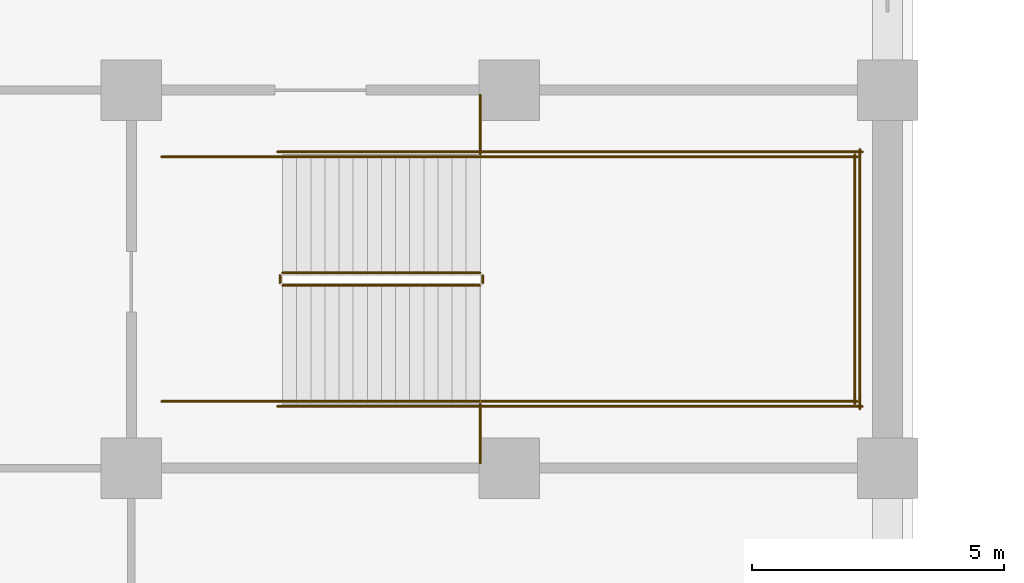
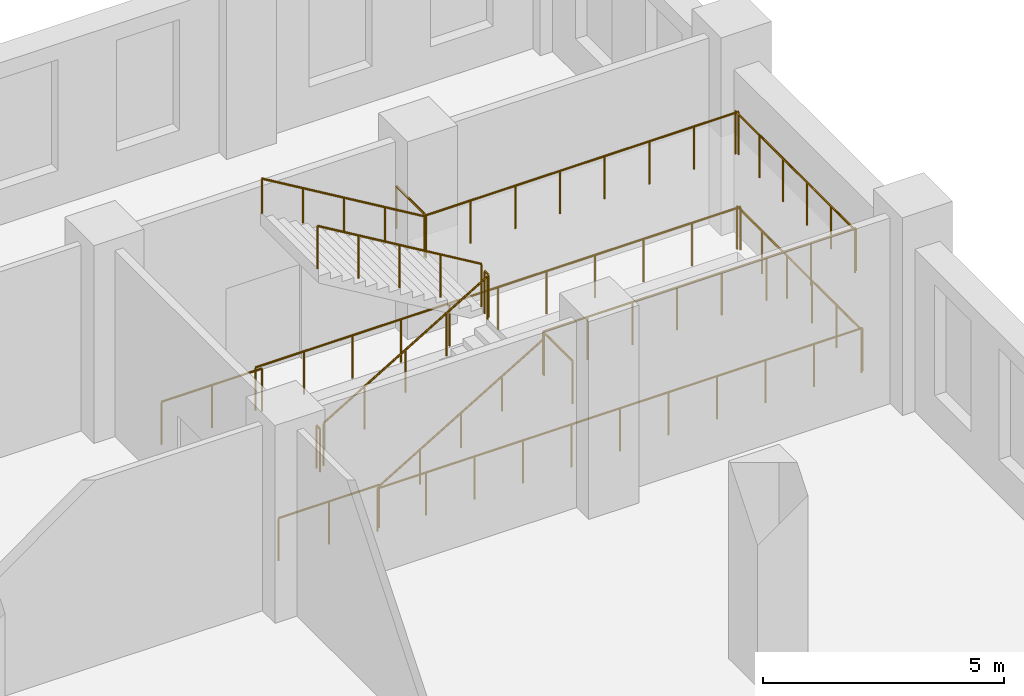
# One storey, part 26 of 32: 16 railings.
"""IFC4 building model written with IfcOpenShell, lengths in metres."""

from ifc_helpers import new_model, si_unit, direction, frame, origin, origin_2d, place, context, subcontext, project, spatial, circle, extrude, material, type_object, element, save


model = new_model("IFC4")

# Units and contexts
model_context = context("Model", 3, precision=1e-05, world=origin(), true_north=direction((0.0, 1.0)))
body_context = subcontext(model_context, "Body", "Model", "MODEL_VIEW")
ifc_project = project(units=[si_unit("LENGTHUNIT", "METRE"), si_unit("AREAUNIT", "SQUARE_METRE"), si_unit("VOLUMEUNIT", "CUBIC_METRE"), si_unit("PLANEANGLEUNIT", "RADIAN"), si_unit("MASSUNIT", "GRAM", prefix="KILO")], contexts=[model_context])

# Site, building, storey
site_placement = place(None, origin())
site = spatial("IfcSite", under=ifc_project, at=site_placement, CompositionType="ELEMENT")
building_placement = place(site_placement, origin())
building = spatial("IfcBuilding", under=site, at=building_placement, Name="Tamorin Gate", CompositionType="ELEMENT")
storey_placement = place(building_placement, frame((0.0, 0.0, 13.5)))
storey = spatial("IfcBuildingStorey", under=building, at=storey_placement, Name="L02", CompositionType="ELEMENT", Elevation=13.5)

# Railings
ifc_material = material(Name="Steel", Category="steel")
railing_type_1 = type_object("IfcRailingType", Name="Podium guard 1100", PredefinedType="GUARDRAIL", material=ifc_material)
railing_1_placement = place(storey_placement, frame((100.0, 100.625, 0.166748046875)))
element("IfcRailing", 1, at=railing_1_placement, inside=storey, type_object=railing_type_1, Name="L02 PS4 stair guard 1", PredefinedType="GUARDRAIL", context=body_context, shape_type="SweptSolid", body=[
    extrude(circle(Radius=0.02392578125, at=origin_2d()), frame((0.0, 0.0, 1.076171875), z_axis=(0.859296244711, 0.0, 0.511478214419), x_axis=(0.0, 1.0, 0.0)), (0.0, 0.0, 1.0), 4.561767578125),
    extrude(circle(Radius=0.02099609375, at=origin_2d()), origin(), (0.0, 0.0, 1.0), 1.052001953125),
    extrude(circle(Radius=0.02099609375, at=origin_2d()), frame((0.97998046875, 0.0, 0.583251953125)), (0.0, 0.0, 1.0), 1.052001953125),
    extrude(circle(Radius=0.02099609375, at=origin_2d()), frame((1.9599609375, 0.0, 1.16650390625)), (0.0, 0.0, 1.0), 1.052001953125),
    extrude(circle(Radius=0.02099609375, at=origin_2d()), frame((2.93994140625, 0.0, 1.75)), (0.0, 0.0, 1.0), 1.052001953125),
    extrude(circle(Radius=0.02099609375, at=origin_2d()), frame((3.919921875, 0.0, 2.333251953125)), (0.0, 0.0, 1.0), 1.052001953125),
])
railing_2_placement = place(storey_placement, frame((103.969970703125, 100.675048828125, 2.5)))
element("IfcRailing", 2, at=railing_2_placement, inside=storey, type_object=railing_type_1, Name="L02 PS4 stair guard 2", PredefinedType="GUARDRAIL", context=body_context, shape_type="SweptSolid", body=[
    extrude(circle(Radius=0.02392578125, at=origin_2d()), frame((0.0, 0.0, 1.076171875), z_axis=(0.0, 1.0, 0.0), x_axis=(-1.0, 0.0, 0.0)), (0.0, 0.0, 1.0), 0.14990234375),
    extrude(circle(Radius=0.02099609375, at=origin_2d()), origin(), (0.0, 0.0, 1.0), 1.052001953125),
    extrude(circle(Radius=0.02099609375, at=origin_2d()), frame((0.0, 0.14990234375, 0.0)), (0.0, 0.0, 1.0), 1.052001953125),
])
for number, where, name in (
    (3, (103.919921875, 98.324951171875, 2.5), "L02 PS4 stair guard 3"),
    (4, (103.919921875, 103.175048828125, 2.5), "L02 PS4 stair guard 4"),
):
    element("IfcRailing", number, at=place(storey_placement, frame(where)), inside=storey, type_object=railing_type_1, Name=name, PredefinedType="GUARDRAIL", context=body_context, shape_type="SweptSolid", body=[
        extrude(circle(Radius=0.02392578125, at=origin_2d()), frame((0.0, 0.0, 1.076171875), z_axis=(1.0, 0.0, 0.0), x_axis=(0.0, 1.0, 0.0)), (0.0, 0.0, 1.0), 7.47998046875),
        extrude(circle(Radius=0.02099609375, at=origin_2d()), origin(), (0.0, 0.0, 1.0), 1.052001953125),
        extrude(circle(Radius=0.02099609375, at=origin_2d()), frame((1.068603515625, 0.0, 0.0)), (0.0, 0.0, 1.0), 1.052001953125),
        extrude(circle(Radius=0.02099609375, at=origin_2d()), frame((2.13720703125, 0.0, 0.0)), (0.0, 0.0, 1.0), 1.052001953125),
        extrude(circle(Radius=0.02099609375, at=origin_2d()), frame((3.205810546875, 0.0, 0.0)), (0.0, 0.0, 1.0), 1.052001953125),
        extrude(circle(Radius=0.02099609375, at=origin_2d()), frame((4.274169921875, 0.0, 0.0)), (0.0, 0.0, 1.0), 1.052001953125),
        extrude(circle(Radius=0.02099609375, at=origin_2d()), frame((5.3427734375, 0.0, 0.0)), (0.0, 0.0, 1.0), 1.052001953125),
        extrude(circle(Radius=0.02099609375, at=origin_2d()), frame((6.411376953125, 0.0, 0.0)), (0.0, 0.0, 1.0), 1.052001953125),
        extrude(circle(Radius=0.02099609375, at=origin_2d()), frame((7.47998046875, 0.0, 0.0)), (0.0, 0.0, 1.0), 1.052001953125),
    ])
railing_3_placement = place(storey_placement, frame((111.35009765625, 98.27490234375, 2.5)))
element("IfcRailing", 5, at=railing_3_placement, inside=storey, type_object=railing_type_1, Name="L02 PS4 stair guard 5", PredefinedType="GUARDRAIL", context=body_context, shape_type="SweptSolid", body=[
    extrude(circle(Radius=0.02392578125, at=origin_2d()), frame((0.0, 0.0, 1.076171875), z_axis=(0.0, 1.0, 0.0), x_axis=(-1.0, 0.0, 0.0)), (0.0, 0.0, 1.0), 4.9501953125),
    extrude(circle(Radius=0.02099609375, at=origin_2d()), origin(), (0.0, 0.0, 1.0), 1.052001953125),
    extrude(circle(Radius=0.02099609375, at=origin_2d()), frame((0.0, 0.989990234375, 0.0)), (0.0, 0.0, 1.0), 1.052001953125),
    extrude(circle(Radius=0.02099609375, at=origin_2d()), frame((0.0, 1.97998046875, 0.0)), (0.0, 0.0, 1.0), 1.052001953125),
    extrude(circle(Radius=0.02099609375, at=origin_2d()), frame((0.0, 2.97021484375, 0.0)), (0.0, 0.0, 1.0), 1.052001953125),
    extrude(circle(Radius=0.02099609375, at=origin_2d()), frame((0.0, 3.960205078125, 0.0)), (0.0, 0.0, 1.0), 1.052001953125),
    extrude(circle(Radius=0.02099609375, at=origin_2d()), frame((0.0, 4.9501953125, 0.0)), (0.0, 0.0, 1.0), 1.052001953125),
])
railing_4_placement = place(storey_placement, frame((103.919921875, 100.875, 2.666748046875)))
element("IfcRailing", 6, at=railing_4_placement, inside=storey, type_object=railing_type_1, Name="L02 PS4 stair guard 6", PredefinedType="GUARDRAIL", context=body_context, shape_type="SweptSolid", body=[
    extrude(circle(Radius=0.02392578125, at=origin_2d()), frame((0.0, 0.0, 1.076171875), z_axis=(-0.859296244711, 0.0, 0.511478214419), x_axis=(0.0, -1.0, 0.0)), (0.0, 0.0, 1.0), 4.561767578125),
    extrude(circle(Radius=0.02099609375, at=origin_2d()), origin(), (0.0, 0.0, 1.0), 1.052001953125),
    extrude(circle(Radius=0.02099609375, at=origin_2d()), frame((-0.97998046875, 0.0, 0.583251953125)), (0.0, 0.0, 1.0), 1.052001953125),
    extrude(circle(Radius=0.02099609375, at=origin_2d()), frame((-1.9599609375, 0.0, 1.16650390625)), (0.0, 0.0, 1.0), 1.052001953125),
    extrude(circle(Radius=0.02099609375, at=origin_2d()), frame((-2.93994140625, 0.0, 1.75)), (0.0, 0.0, 1.0), 1.052001953125),
    extrude(circle(Radius=0.02099609375, at=origin_2d()), frame((-3.919921875, 0.0, 2.333251953125)), (0.0, 0.0, 1.0), 1.052001953125),
])
railing_5_placement = place(storey_placement, frame((99.949951171875, 100.675048828125, 0.0)))
element("IfcRailing", 7, at=railing_5_placement, inside=storey, type_object=railing_type_1, Name="L02 PS4 stair guard 7", PredefinedType="GUARDRAIL", context=body_context, shape_type="SweptSolid", body=[
    extrude(circle(Radius=0.02392578125, at=origin_2d()), frame((0.0, 0.0, 1.076171875), z_axis=(0.0, 1.0, 0.0), x_axis=(-1.0, 0.0, 0.0)), (0.0, 0.0, 1.0), 0.14990234375),
    extrude(circle(Radius=0.02099609375, at=origin_2d()), origin(), (0.0, 0.0, 1.0), 1.052001953125),
    extrude(circle(Radius=0.02099609375, at=origin_2d()), frame((0.0, 0.14990234375, 0.0)), (0.0, 0.0, 1.0), 1.052001953125),
])
for number, where, name in (
    (8, (97.60009765625, 98.324951171875, 0.0), "L02 PS4 stair guard 8"),
    (9, (97.60009765625, 103.175048828125, 0.0), "L02 PS4 stair guard 9"),
):
    element("IfcRailing", number, at=place(storey_placement, frame(where)), inside=storey, type_object=railing_type_1, Name=name, PredefinedType="GUARDRAIL", context=body_context, shape_type="SweptSolid", body=[
        extrude(circle(Radius=0.02392578125, at=origin_2d()), frame((0.0, 0.0, 1.076171875), z_axis=(1.0, 0.0, 0.0), x_axis=(0.0, 1.0, 0.0)), (0.0, 0.0, 1.0), 2.39990234375),
        extrude(circle(Radius=0.02099609375, at=origin_2d()), origin(), (0.0, 0.0, 1.0), 1.052001953125),
        extrude(circle(Radius=0.02099609375, at=origin_2d()), frame((1.199951171875, 0.0, 0.0)), (0.0, 0.0, 1.0), 1.052001953125),
        extrude(circle(Radius=0.02099609375, at=origin_2d()), frame((2.39990234375, 0.0, 0.0)), (0.0, 0.0, 1.0), 1.052001953125),
    ])
for number, where, name in (
    (10, (99.89990234375, 98.22509765625, 0.0), "L02 PS4 stair guard 10"),
    (11, (99.89990234375, 103.27490234375, 0.0), "L02 PS4 stair guard 11"),
):
    element("IfcRailing", number, at=place(storey_placement, frame(where)), inside=storey, type_object=railing_type_1, Name=name, PredefinedType="GUARDRAIL", context=body_context, shape_type="SweptSolid", body=[
        extrude(circle(Radius=0.02392578125, at=origin_2d()), frame((0.0, 0.0, 1.076171875), z_axis=(1.0, 0.0, 0.0), x_axis=(0.0, 1.0, 0.0)), (0.0, 0.0, 1.0), 11.60009765625),
        extrude(circle(Radius=0.02099609375, at=origin_2d()), origin(), (0.0, 0.0, 1.0), 1.052001953125),
        extrude(circle(Radius=0.02099609375, at=origin_2d()), frame((1.159912109375, 0.0, 0.0)), (0.0, 0.0, 1.0), 1.052001953125),
        extrude(circle(Radius=0.02099609375, at=origin_2d()), frame((2.320068359375, 0.0, 0.0)), (0.0, 0.0, 1.0), 1.052001953125),
        extrude(circle(Radius=0.02099609375, at=origin_2d()), frame((3.47998046875, 0.0, 0.0)), (0.0, 0.0, 1.0), 1.052001953125),
        extrude(circle(Radius=0.02099609375, at=origin_2d()), frame((4.64013671875, 0.0, 0.0)), (0.0, 0.0, 1.0), 1.052001953125),
        extrude(circle(Radius=0.02099609375, at=origin_2d()), frame((5.800048828125, 0.0, 0.0)), (0.0, 0.0, 1.0), 1.052001953125),
        extrude(circle(Radius=0.02099609375, at=origin_2d()), frame((6.9599609375, 0.0, 0.0)), (0.0, 0.0, 1.0), 1.052001953125),
        extrude(circle(Radius=0.02099609375, at=origin_2d()), frame((8.1201171875, 0.0, 0.0)), (0.0, 0.0, 1.0), 1.052001953125),
        extrude(circle(Radius=0.02099609375, at=origin_2d()), frame((9.280029296875, 0.0, 0.0)), (0.0, 0.0, 1.0), 1.052001953125),
        extrude(circle(Radius=0.02099609375, at=origin_2d()), frame((10.440185546875, 0.0, 0.0)), (0.0, 0.0, 1.0), 1.052001953125),
        extrude(circle(Radius=0.02099609375, at=origin_2d()), frame((11.60009765625, 0.0, 0.0)), (0.0, 0.0, 1.0), 1.052001953125),
    ])
railing_6_placement = place(storey_placement, frame((111.449951171875, 98.175048828125, 0.0)))
element("IfcRailing", 12, at=railing_6_placement, inside=storey, type_object=railing_type_1, Name="L02 PS4 stair guard 12", PredefinedType="GUARDRAIL", context=body_context, shape_type="SweptSolid", body=[
    extrude(circle(Radius=0.02392578125, at=origin_2d()), frame((0.0, 0.0, 1.076171875), z_axis=(0.0, 1.0, 0.0), x_axis=(-1.0, 0.0, 0.0)), (0.0, 0.0, 1.0), 5.14990234375),
    extrude(circle(Radius=0.02099609375, at=origin_2d()), origin(), (0.0, 0.0, 1.0), 1.052001953125),
    extrude(circle(Radius=0.02099609375, at=origin_2d()), frame((0.0, 1.030029296875, 0.0)), (0.0, 0.0, 1.0), 1.052001953125),
    extrude(circle(Radius=0.02099609375, at=origin_2d()), frame((0.0, 2.06005859375, 0.0)), (0.0, 0.0, 1.0), 1.052001953125),
    extrude(circle(Radius=0.02099609375, at=origin_2d()), frame((0.0, 3.08984375, 0.0)), (0.0, 0.0, 1.0), 1.052001953125),
    extrude(circle(Radius=0.02099609375, at=origin_2d()), frame((0.0, 4.119873046875, 0.0)), (0.0, 0.0, 1.0), 1.052001953125),
    extrude(circle(Radius=0.02099609375, at=origin_2d()), frame((0.0, 5.14990234375, 0.0)), (0.0, 0.0, 1.0), 1.052001953125),
])
for number, where, name in (
    (13, (103.919921875, 97.10009765625, 2.5), "Landing edge guard"),
    (14, (103.919921875, 103.22509765625, 2.5), "Landing edge guard"),
):
    element("IfcRailing", number, at=place(storey_placement, frame(where)), inside=storey, type_object=railing_type_1, Name=name, PredefinedType="GUARDRAIL", context=body_context, shape_type="SweptSolid", body=[
        extrude(circle(Radius=0.02392578125, at=origin_2d()), frame((0.0, 0.0, 1.076171875), z_axis=(0.0, 1.0, 0.0), x_axis=(-1.0, 0.0, 0.0)), (0.0, 0.0, 1.0), 1.1748046875),
        extrude(circle(Radius=0.02099609375, at=origin_2d()), origin(), (0.0, 0.0, 1.0), 1.052001953125),
        extrude(circle(Radius=0.02099609375, at=origin_2d()), frame((0.0, 1.1748046875, 0.0)), (0.0, 0.0, 1.0), 1.052001953125),
    ])
railing_type_2 = type_object("IfcRailingType", Name="Podium stair handrail 900", PredefinedType="HANDRAIL", material=ifc_material)
railing_7_placement = place(storey_placement, frame((100.0, 98.324951171875, 0.166748046875)))
element("IfcRailing", 15, at=railing_7_placement, inside=storey, type_object=railing_type_2, Name="L02 PS4 stair handrail 1", PredefinedType="HANDRAIL", context=body_context, shape_type="SweptSolid", body=[
    extrude(circle(Radius=0.02392578125, at=origin_2d()), frame((0.0, 0.0, 0.8759765625), z_axis=(0.859296244711, 0.0, 0.511478214419), x_axis=(0.0, 1.0, 0.0)), (0.0, 0.0, 1.0), 4.561767578125),
    extrude(circle(Radius=0.02099609375, at=origin_2d()), origin(), (0.0, 0.0, 1.0), 0.851806640625),
    extrude(circle(Radius=0.02099609375, at=origin_2d()), frame((0.97998046875, 0.0, 0.583251953125)), (0.0, 0.0, 1.0), 0.851806640625),
    extrude(circle(Radius=0.02099609375, at=origin_2d()), frame((1.9599609375, 0.0, 1.16650390625)), (0.0, 0.0, 1.0), 0.851806640625),
    extrude(circle(Radius=0.02099609375, at=origin_2d()), frame((2.93994140625, 0.0, 1.75)), (0.0, 0.0, 1.0), 0.851806640625),
    extrude(circle(Radius=0.02099609375, at=origin_2d()), frame((3.919921875, 0.0, 2.333251953125)), (0.0, 0.0, 1.0), 0.851806640625),
])
railing_8_placement = place(storey_placement, frame((103.919921875, 103.175048828125, 2.666748046875)))
element("IfcRailing", 16, at=railing_8_placement, inside=storey, type_object=railing_type_2, Name="L02 PS4 stair handrail 2", PredefinedType="HANDRAIL", context=body_context, shape_type="SweptSolid", body=[
    extrude(circle(Radius=0.02392578125, at=origin_2d()), frame((0.0, 0.0, 0.8759765625), z_axis=(-0.859296244711, 0.0, 0.511478214419), x_axis=(0.0, -1.0, 0.0)), (0.0, 0.0, 1.0), 4.561767578125),
    extrude(circle(Radius=0.02099609375, at=origin_2d()), origin(), (0.0, 0.0, 1.0), 0.851806640625),
    extrude(circle(Radius=0.02099609375, at=origin_2d()), frame((-0.97998046875, 0.0, 0.583251953125)), (0.0, 0.0, 1.0), 0.851806640625),
    extrude(circle(Radius=0.02099609375, at=origin_2d()), frame((-1.9599609375, 0.0, 1.16650390625)), (0.0, 0.0, 1.0), 0.851806640625),
    extrude(circle(Radius=0.02099609375, at=origin_2d()), frame((-2.93994140625, 0.0, 1.75)), (0.0, 0.0, 1.0), 0.851806640625),
    extrude(circle(Radius=0.02099609375, at=origin_2d()), frame((-3.919921875, 0.0, 2.333251953125)), (0.0, 0.0, 1.0), 0.851806640625),
])

save(model, "model.ifc")
